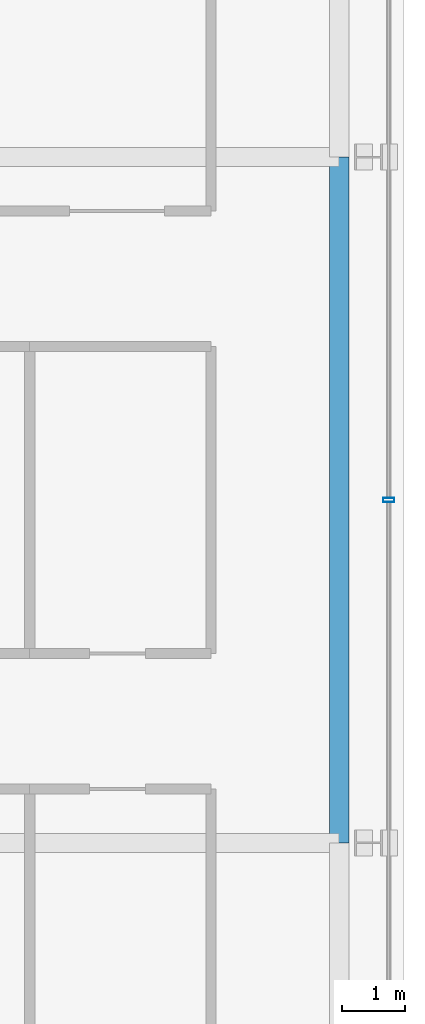
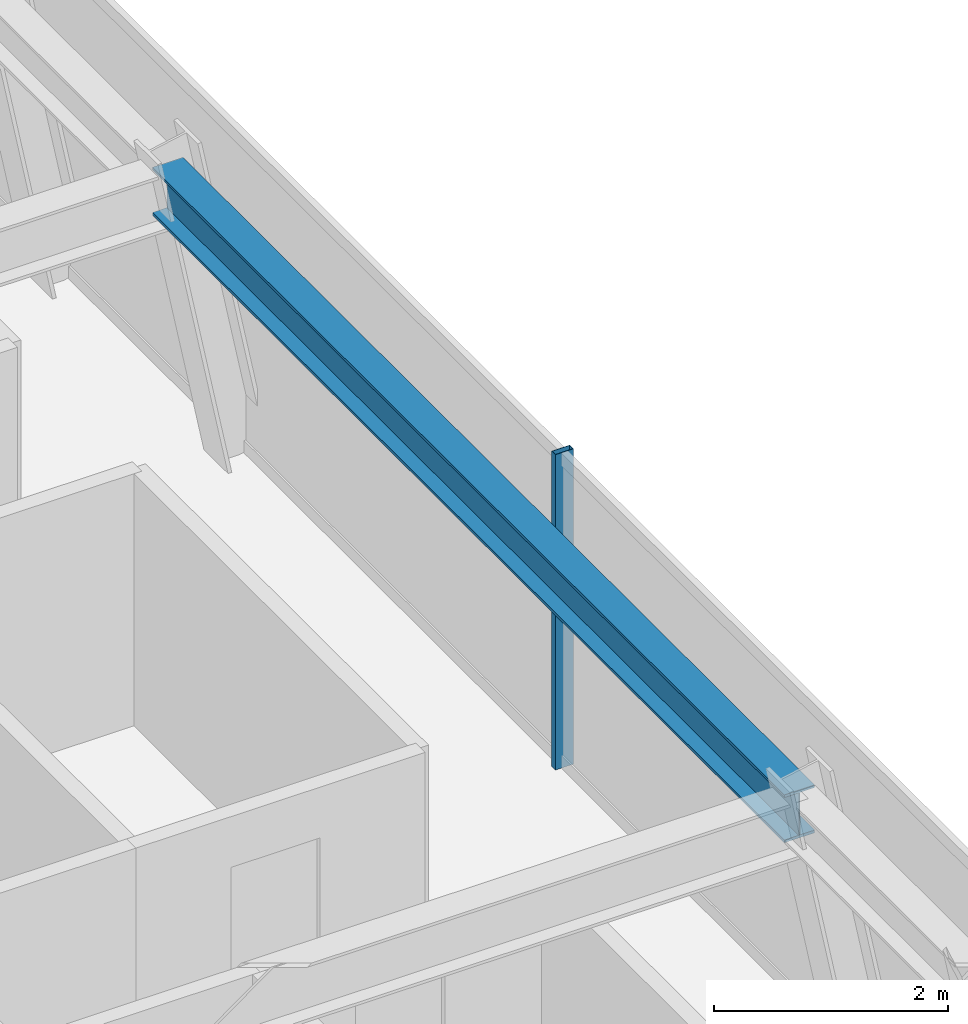
# One storey, part 16 of 35: 1 beam, 1 member, 1 element without a shape of its own.
"""IFC4 building model written with IfcOpenShell, lengths in metres."""

from ifc_helpers import new_model, si_unit, direction, frame, origin, origin_2d, place, context, subcontext, project, spatial, hollow_rectangle, i_section, extrude, source, transform, mapped, material, material_profile, profile_set, type_object, element, aggregate, save


model = new_model("IFC4")

# Units and contexts
model_context = context("Model", 3, precision=1e-05, world=origin(), true_north=direction((0.0, 1.0)))
body_context = subcontext(model_context, "Body", "Model", "MODEL_VIEW")
ifc_project = project(units=[si_unit("LENGTHUNIT", "METRE"), si_unit("AREAUNIT", "SQUARE_METRE"), si_unit("VOLUMEUNIT", "CUBIC_METRE"), si_unit("PLANEANGLEUNIT", "RADIAN"), si_unit("MASSUNIT", "GRAM", prefix="KILO")], contexts=[model_context])

# Site, building, storey
site_placement = place(None, origin())
site = spatial("IfcSite", under=ifc_project, at=site_placement, CompositionType="ELEMENT")
building_placement = place(site_placement, origin())
building = spatial("IfcBuilding", under=site, at=building_placement, Name="Nahalor Promenade Grand Hotel", CompositionType="ELEMENT")
storey_placement = place(building_placement, frame((0.0, 0.0, 79.85009765625)))
storey = spatial("IfcBuildingStorey", under=building, at=storey_placement, Name="L19", CompositionType="ELEMENT", Elevation=79.85009765625)

# Beam
ifc_material_1 = material(Name="Steel S355JR", Category="steel")
ifc_material_profile_1 = material_profile(ifc_material_1, i_section(OverallWidth=0.3, OverallDepth=0.5, WebThickness=0.0145, FlangeThickness=0.028, at=origin_2d()), Name="HEB 500")
ifc_profile_set_1 = profile_set([ifc_material_profile_1], Name="Steel S355JR")
beam_type = type_object("IfcBeamType", Name="Beam-Spandrel-HEB500", PredefinedType="SPANDREL", material=ifc_profile_set_1)
shared_shape_1 = source(origin(), body_context, "Body", "SweptSolid", [
    extrude(i_section(OverallWidth=0.3, OverallDepth=0.5, WebThickness=0.0145, FlangeThickness=0.028, at=origin_2d()), origin(), (0.0, 0.0, 1.0), 10.7998046875),
])
beam_placement = place(storey_placement, frame((24.3798828125, -5.39990234375, 3.039794921875), z_axis=(0.0, 1.0, 0.0), x_axis=(-1.0, 0.0, 0.0)))
element("IfcBeam", 1, at=beam_placement, inside=storey, type_object=beam_type, Name="BM-L19-SP-E-2", PredefinedType="SPANDREL", context=body_context, shape_type="MappedRepresentation", body=[
    mapped(shared_shape_1, transform((0.0, 0.0, 0.0), scale=1.0)),
])

# Curtain wall, member
ifc_material_2 = material(Name="Anodised Bronze Aluminium EN AW-6063 T6", Category="aluminium")
curtain_wall_type = type_object("IfcCurtainWallType", Name="CW2 Typical Hotel Flush Bronze Unitised Curtain Wall", PredefinedType="USERDEFINED", material=ifc_material_2)
curtain_wall_placement = place(storey_placement, origin())
curtain_wall = element("IfcCurtainWall", 2, at=curtain_wall_placement, inside=storey, type_object=curtain_wall_type, Name="L19 Curtain Wall CW-L19-E-1", ObjectType="UNITISED_CURTAIN_WALL", PredefinedType="USERDEFINED")
ifc_material_profile_2 = material_profile(ifc_material_2, hollow_rectangle(XDim=0.065, YDim=0.18, WallThickness=0.004, at=origin_2d()), Name="CWM 65x180x4")
ifc_profile_set_2 = profile_set([ifc_material_profile_2], Name="Anodised Bronze Aluminium EN AW-6063 T6")
member_type = type_object("IfcMemberType", Name="CWM2 Typical Bronze Mullion 65x180", PredefinedType="MULLION", material=ifc_profile_set_2)
shared_shape_2 = source(origin(), body_context, "Body", "SweptSolid", [
    extrude(hollow_rectangle(XDim=0.065, YDim=0.18, WallThickness=0.004, at=origin_2d()), origin(), (0.0, 0.0, 1.0), 3.289794921875),
])
member_placement = place(storey_placement, frame((25.159912109375, 0.0, 0.0), z_axis=(0.0, 0.0, 1.0), x_axis=(0.0, 1.0, 0.0)))
member = element("IfcMember", 3, at=member_placement, type_object=member_type, Name="CW-L19-E-1 Mullion 2", PredefinedType="MULLION", context=body_context, shape_type="MappedRepresentation", body=[
    mapped(shared_shape_2, transform((0.0, 0.0, 0.0), scale=1.0)),
])
aggregate(curtain_wall, [member])

save(model, "model.ifc")
